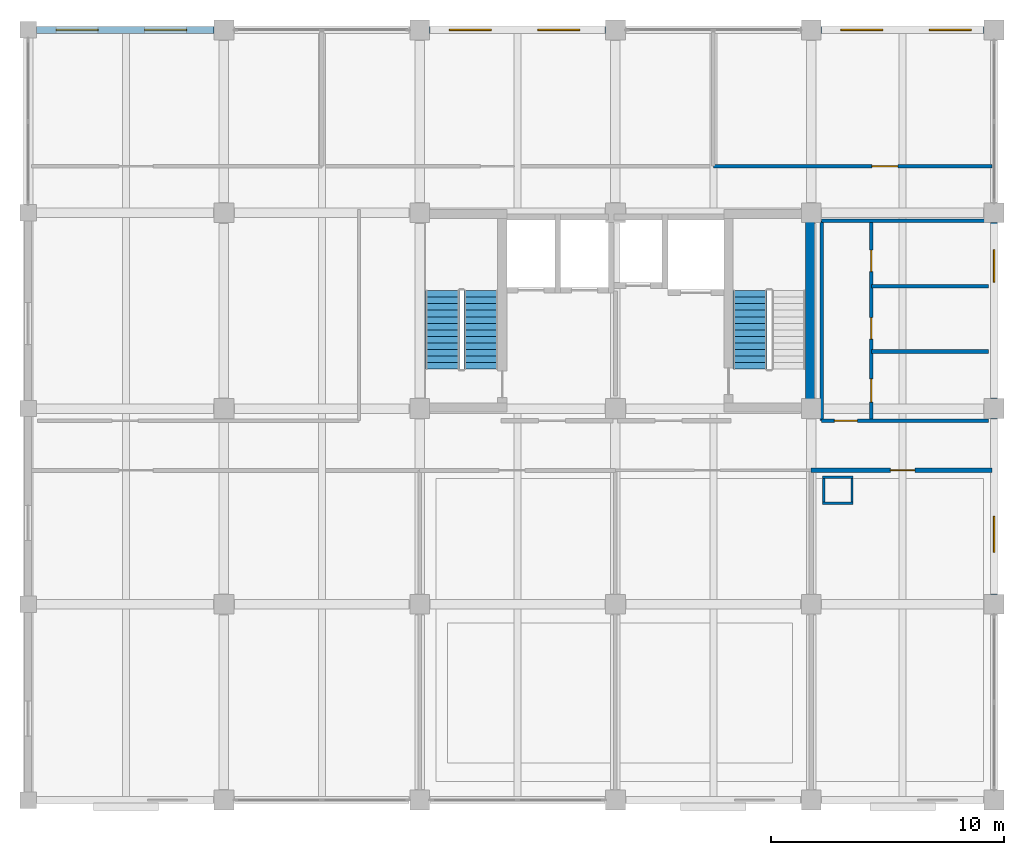
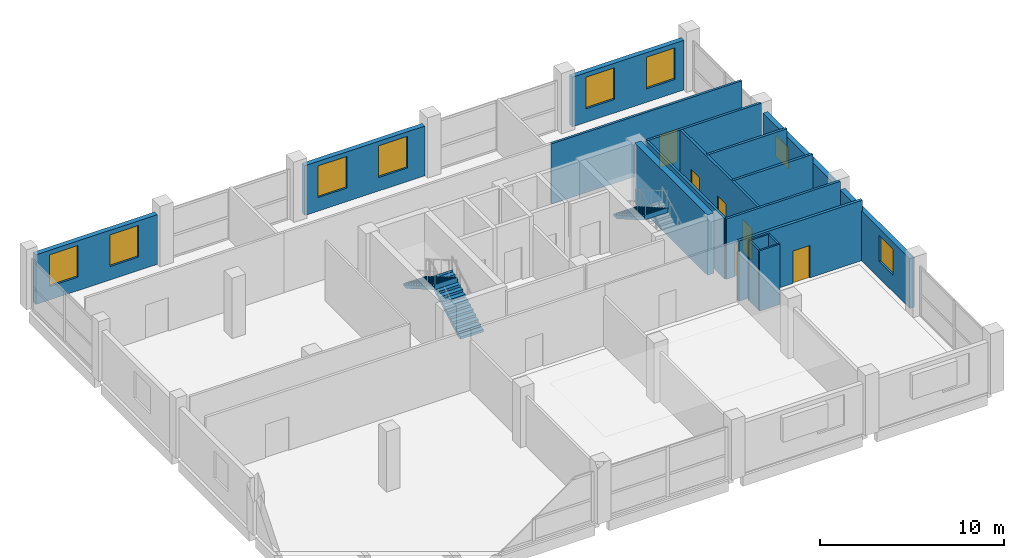
# One storey, part 8 of 11: 18 walls, 8 windows, 6 doors, 3 stair flights, 14 openings, 2 elements without a shape of their own.
"""IFC4 building model written with IfcOpenShell, lengths in metres."""

from ifc_helpers import new_model, si_unit, direction, frame, frame_2d, origin, place, context, subcontext, project, spatial, polyline, rectangle, outline, extrude, material, layer, layer_set, type_object, element, fill, aggregate, save


model = new_model("IFC4")

# Units and contexts
model_context = context("Model", 3, precision=1e-05, world=origin(), true_north=direction((0.0, 1.0)))
body_context = subcontext(model_context, "Body", "Model", "MODEL_VIEW")
ifc_project = project(units=[si_unit("LENGTHUNIT", "METRE"), si_unit("AREAUNIT", "SQUARE_METRE"), si_unit("VOLUMEUNIT", "CUBIC_METRE"), si_unit("PLANEANGLEUNIT", "RADIAN"), si_unit("MASSUNIT", "GRAM", prefix="KILO")], contexts=[model_context])

# Site, building, storey
site_placement = place(None, origin())
site = spatial("IfcSite", under=ifc_project, at=site_placement, CompositionType="ELEMENT")
building_placement = place(site_placement, origin())
building = spatial("IfcBuilding", under=site, at=building_placement, Name="Brinegate Botanical Conservatory", CompositionType="ELEMENT")
storey_placement = place(building_placement, frame((0.0, 0.0, 23.39990234375)))
storey = spatial("IfcBuildingStorey", under=building, at=storey_placement, Name="L06", CompositionType="ELEMENT", Elevation=23.39990234375)

# Wall, openings, windows
ifc_material_1 = material(Name="Insulated Minnan red clay brick masonry", Category="masonry")
ifc_layer_1 = layer(ifc_material_1, 0.300048828125, Name="Insulated Minnan red clay brick masonry", Category="masonry")
ifc_layer_set_1 = layer_set([ifc_layer_1], Name="Insulated Minnan red clay brick masonry")
wall_type_1 = type_object("IfcWallType", Name="Wall_EW-300B", PredefinedType="STANDARD", material=ifc_layer_set_1)
wall_1_placement = place(storey_placement, frame((122.35009765625, 111.449951171875, 0.0), z_axis=(0.0, 0.0, 1.0), x_axis=(1.0, 0.0, 0.0)))
wall_1 = element("IfcWall", 1, at=wall_1_placement, inside=storey, type_object=wall_type_1, Name="Research lab north brick wall L06.1", PredefinedType="STANDARD", context=body_context, shape_type="SweptSolid", body=[
    extrude(rectangle(XDim=7.625, YDim=0.300048828125, at=frame_2d((3.8125, 0.0))), origin(), (0.0, 0.0, 1.0), 3.300048828125),
])
opening_1_placement = place(wall_1_placement, frame((0.85009765625, 0.0, 0.89990234375)))
opening_1 = element("IfcOpeningElement", 2, at=opening_1_placement, cuts=wall_1, Name="Opening WN-01", PredefinedType="OPENING", context=body_context, shape_type="SweptSolid", body=[
    extrude(rectangle(XDim=1.800048828125, YDim=2.10009765625, at=frame_2d((0.89990234375, 1.050048828125))), frame((0.0, 0.159912109375, 0.0), z_axis=(0.0, -1.0, 0.0), x_axis=(1.0, 0.0, 0.0)), (0.0, 0.0, 1.0), 0.320068359375),
])
opening_2_placement = place(wall_1_placement, frame((4.64990234375, 0.0, 0.89990234375)))
opening_2 = element("IfcOpeningElement", 3, at=opening_2_placement, cuts=wall_1, Name="Opening WN-01", PredefinedType="OPENING", context=body_context, shape_type="SweptSolid", body=[
    extrude(rectangle(XDim=1.800048828125, YDim=2.10009765625, at=frame_2d((0.89990234375, 1.050048828125))), frame((0.0, 0.159912109375, 0.0), z_axis=(0.0, -1.0, 0.0), x_axis=(1.0, 0.0, 0.0)), (0.0, 0.0, 1.0), 0.320068359375),
])
ifc_material_2 = material(Name="Thermally broken aluminium-framed Low-E glass", Category="aluminium")
window_type_1 = type_object("IfcWindowType", Name="Win_WN-01", PartitioningType="DOUBLE_PANEL_VERTICAL", PredefinedType="WINDOW", material=ifc_material_2)
window_1_placement = place(opening_1_placement, origin())
window_1 = element("IfcWindow", 4, at=window_1_placement, inside=storey, type_object=window_type_1, Name="Research lab north window L06.1A", OverallHeight=2.10009765625, OverallWidth=1.800048828125, PartitioningType="DOUBLE_PANEL_VERTICAL", PredefinedType="WINDOW", context=body_context, shape_type="SweptSolid", body=[
    extrude(rectangle(XDim=1.800048828125, YDim=2.10009765625, at=frame_2d((0.89990234375, 1.050048828125))), frame((0.0, 0.030029296875, 0.0), z_axis=(0.0, -1.0, 0.0), x_axis=(1.0, 0.0, 0.0)), (0.0, 0.0, 1.0), 0.06005859375),
])
fill(opening_1, window_1)
window_2_placement = place(opening_2_placement, origin())
window_2 = element("IfcWindow", 5, at=window_2_placement, inside=storey, type_object=window_type_1, Name="Research lab north window L06.1B", OverallHeight=2.10009765625, OverallWidth=1.800048828125, PartitioningType="DOUBLE_PANEL_VERTICAL", PredefinedType="WINDOW", context=body_context, shape_type="SweptSolid", body=[
    extrude(rectangle(XDim=1.800048828125, YDim=2.10009765625, at=frame_2d((0.89990234375, 1.050048828125))), frame((0.0, 0.030029296875, 0.0), z_axis=(0.0, -1.0, 0.0), x_axis=(1.0, 0.0, 0.0)), (0.0, 0.0, 1.0), 0.06005859375),
])
fill(opening_2, window_2)

wall_2_placement = place(storey_placement, frame((139.22509765625, 111.449951171875, 0.0), z_axis=(0.0, 0.0, 1.0), x_axis=(1.0, 0.0, 0.0)))
wall_2 = element("IfcWall", 6, at=wall_2_placement, inside=storey, type_object=wall_type_1, Name="Research lab north brick wall L06.3", PredefinedType="STANDARD", context=body_context, shape_type="SweptSolid", body=[
    extrude(rectangle(XDim=7.5498046875, YDim=0.300048828125, at=frame_2d((3.77490234375, 0.0))), origin(), (0.0, 0.0, 1.0), 3.300048828125),
])
opening_3_placement = place(wall_2_placement, frame((0.85009765625, 0.0, 0.89990234375)))
opening_3 = element("IfcOpeningElement", 7, at=opening_3_placement, cuts=wall_2, Name="Opening WN-01", PredefinedType="OPENING", context=body_context, shape_type="SweptSolid", body=[
    extrude(rectangle(XDim=1.800048828125, YDim=2.10009765625, at=frame_2d((0.89990234375, 1.050048828125))), frame((0.0, 0.159912109375, 0.0), z_axis=(0.0, -1.0, 0.0), x_axis=(1.0, 0.0, 0.0)), (0.0, 0.0, 1.0), 0.320068359375),
])
opening_4_placement = place(wall_2_placement, frame((4.64990234375, 0.0, 0.89990234375)))
opening_4 = element("IfcOpeningElement", 8, at=opening_4_placement, cuts=wall_2, Name="Opening WN-01", PredefinedType="OPENING", context=body_context, shape_type="SweptSolid", body=[
    extrude(rectangle(XDim=1.800048828125, YDim=2.10009765625, at=frame_2d((0.89990234375, 1.050048828125))), frame((0.0, 0.159912109375, 0.0), z_axis=(0.0, -1.0, 0.0), x_axis=(1.0, 0.0, 0.0)), (0.0, 0.0, 1.0), 0.320068359375),
])
window_3_placement = place(opening_3_placement, origin())
window_3 = element("IfcWindow", 9, at=window_3_placement, inside=storey, type_object=window_type_1, Name="Research lab north window L06.3A", OverallHeight=2.10009765625, OverallWidth=1.800048828125, PartitioningType="DOUBLE_PANEL_VERTICAL", PredefinedType="WINDOW", context=body_context, shape_type="SweptSolid", body=[
    extrude(rectangle(XDim=1.800048828125, YDim=2.10009765625, at=frame_2d((0.89990234375, 1.050048828125))), frame((0.0, 0.030029296875, 0.0), z_axis=(0.0, -1.0, 0.0), x_axis=(1.0, 0.0, 0.0)), (0.0, 0.0, 1.0), 0.06005859375),
])
fill(opening_3, window_3)
window_4_placement = place(opening_4_placement, origin())
window_4 = element("IfcWindow", 10, at=window_4_placement, inside=storey, type_object=window_type_1, Name="Research lab north window L06.3B", OverallHeight=2.10009765625, OverallWidth=1.800048828125, PartitioningType="DOUBLE_PANEL_VERTICAL", PredefinedType="WINDOW", context=body_context, shape_type="SweptSolid", body=[
    extrude(rectangle(XDim=1.800048828125, YDim=2.10009765625, at=frame_2d((0.89990234375, 1.050048828125))), frame((0.0, 0.030029296875, 0.0), z_axis=(0.0, -1.0, 0.0), x_axis=(1.0, 0.0, 0.0)), (0.0, 0.0, 1.0), 0.06005859375),
])
fill(opening_4, window_4)

wall_3_placement = place(storey_placement, frame((156.02490234375, 111.449951171875, 0.0), z_axis=(0.0, 0.0, 1.0), x_axis=(1.0, 0.0, 0.0)))
wall_3 = element("IfcWall", 11, at=wall_3_placement, inside=storey, type_object=wall_type_1, Name="Research lab north brick wall L06.5", PredefinedType="STANDARD", context=body_context, shape_type="SweptSolid", body=[
    extrude(rectangle(XDim=7.0, YDim=0.300048828125, at=frame_2d((3.5, 0.0))), origin(), (0.0, 0.0, 1.0), 3.300048828125),
])
opening_5_placement = place(wall_3_placement, frame((0.85009765625, 0.0, 0.89990234375)))
opening_5 = element("IfcOpeningElement", 12, at=opening_5_placement, cuts=wall_3, Name="Opening WN-01", PredefinedType="OPENING", context=body_context, shape_type="SweptSolid", body=[
    extrude(rectangle(XDim=1.800048828125, YDim=2.10009765625, at=frame_2d((0.89990234375, 1.050048828125))), frame((0.0, 0.159912109375, 0.0), z_axis=(0.0, -1.0, 0.0), x_axis=(1.0, 0.0, 0.0)), (0.0, 0.0, 1.0), 0.320068359375),
])
opening_6_placement = place(wall_3_placement, frame((4.64990234375, 0.0, 0.89990234375)))
opening_6 = element("IfcOpeningElement", 13, at=opening_6_placement, cuts=wall_3, Name="Opening WN-01", PredefinedType="OPENING", context=body_context, shape_type="SweptSolid", body=[
    extrude(rectangle(XDim=1.800048828125, YDim=2.10009765625, at=frame_2d((0.89990234375, 1.050048828125))), frame((0.0, 0.159912109375, 0.0), z_axis=(0.0, -1.0, 0.0), x_axis=(1.0, 0.0, 0.0)), (0.0, 0.0, 1.0), 0.320068359375),
])
window_5_placement = place(opening_5_placement, origin())
window_5 = element("IfcWindow", 14, at=window_5_placement, inside=storey, type_object=window_type_1, Name="Research lab north window L06.5A", OverallHeight=2.10009765625, OverallWidth=1.800048828125, PartitioningType="DOUBLE_PANEL_VERTICAL", PredefinedType="WINDOW", context=body_context, shape_type="SweptSolid", body=[
    extrude(rectangle(XDim=1.800048828125, YDim=2.10009765625, at=frame_2d((0.89990234375, 1.050048828125))), frame((0.0, 0.030029296875, 0.0), z_axis=(0.0, -1.0, 0.0), x_axis=(1.0, 0.0, 0.0)), (0.0, 0.0, 1.0), 0.06005859375),
])
fill(opening_5, window_5)
window_6_placement = place(opening_6_placement, origin())
window_6 = element("IfcWindow", 15, at=window_6_placement, inside=storey, type_object=window_type_1, Name="Research lab north window L06.5B", OverallHeight=2.10009765625, OverallWidth=1.800048828125, PartitioningType="DOUBLE_PANEL_VERTICAL", PredefinedType="WINDOW", context=body_context, shape_type="SweptSolid", body=[
    extrude(rectangle(XDim=1.800048828125, YDim=2.10009765625, at=frame_2d((0.89990234375, 1.050048828125))), frame((0.0, 0.030029296875, 0.0), z_axis=(0.0, -1.0, 0.0), x_axis=(1.0, 0.0, 0.0)), (0.0, 0.0, 1.0), 0.06005859375),
])
fill(opening_6, window_6)

# Wall, opening, window
wall_4_placement = place(storey_placement, frame((163.449951171875, 94.77490234375, 0.0), z_axis=(0.0, 0.0, 1.0), x_axis=(0.0, -1.0, 0.0)))
wall_4 = element("IfcWall", 16, at=wall_4_placement, inside=storey, type_object=wall_type_1, Name="Tower east brick wall L06.2", PredefinedType="STANDARD", context=body_context, shape_type="SweptSolid", body=[
    extrude(rectangle(XDim=7.5498046875, YDim=0.300048828125, at=frame_2d((3.77490234375, 0.0))), origin(), (0.0, 0.0, 1.0), 3.300048828125),
])
opening_7_placement = place(wall_4_placement, frame((4.199951171875, 0.0, 1.10009765625)))
opening_7 = element("IfcOpeningElement", 17, at=opening_7_placement, cuts=wall_4, Name="Opening WN-37", PredefinedType="OPENING", context=body_context, shape_type="SweptSolid", body=[
    extrude(rectangle(XDim=1.550048828125, YDim=1.75, at=frame_2d((0.77490234375, 0.875))), frame((0.0, 0.159912109375, 0.0), z_axis=(0.0, -1.0, 0.0), x_axis=(1.0, 0.0, 0.0)), (0.0, 0.0, 1.0), 0.320068359375),
])
window_type_2 = type_object("IfcWindowType", Name="Win_WN-37", PartitioningType="DOUBLE_PANEL_VERTICAL", PredefinedType="WINDOW", material=ifc_material_2)
window_7_placement = place(opening_7_placement, origin())
window_7 = element("IfcWindow", 18, at=window_7_placement, inside=storey, type_object=window_type_2, Name="Tower east window L06.2", OverallHeight=1.75, OverallWidth=1.550048828125, PartitioningType="DOUBLE_PANEL_VERTICAL", PredefinedType="WINDOW", context=body_context, shape_type="SweptSolid", body=[
    extrude(rectangle(XDim=1.550048828125, YDim=1.75, at=frame_2d((0.77490234375, 0.875))), frame((0.0, 0.030029296875, 0.0), z_axis=(0.0, -1.0, 0.0), x_axis=(1.0, 0.0, 0.0)), (0.0, 0.0, 1.0), 0.06005859375),
])
fill(opening_7, window_7)

wall_5_placement = place(storey_placement, frame((163.449951171875, 103.175048828125, 0.0), z_axis=(0.0, 0.0, 1.0), x_axis=(0.0, -1.0, 0.0)))
wall_5 = element("IfcWall", 19, at=wall_5_placement, inside=storey, type_object=wall_type_1, Name="Tower east brick wall L06.3", PredefinedType="STANDARD", context=body_context, shape_type="SweptSolid", body=[
    extrude(rectangle(XDim=7.550048828125, YDim=0.300048828125, at=frame_2d((3.77490234375, 0.0))), origin(), (0.0, 0.0, 1.0), 3.300048828125),
])
opening_8_placement = place(wall_5_placement, frame((1.14990234375, 0.0, 1.10009765625)))
opening_8 = element("IfcOpeningElement", 20, at=opening_8_placement, cuts=wall_5, Name="Opening WN-16", PredefinedType="OPENING", context=body_context, shape_type="SweptSolid", body=[
    extrude(rectangle(XDim=1.39990234375, YDim=1.39990234375, at=frame_2d((0.699951171875, 0.699951171875))), frame((0.0, 0.159912109375, 0.0), z_axis=(0.0, -1.0, 0.0), x_axis=(1.0, 0.0, 0.0)), (0.0, 0.0, 1.0), 0.320068359375),
])
window_type_3 = type_object("IfcWindowType", Name="Win_WN-16", PartitioningType="SINGLE_PANEL", PredefinedType="WINDOW", material=ifc_material_2)
window_8_placement = place(opening_8_placement, origin())
window_8 = element("IfcWindow", 21, at=window_8_placement, inside=storey, type_object=window_type_3, Name="Tower east window L06.3", OverallHeight=1.39990234375, OverallWidth=1.39990234375, PartitioningType="SINGLE_PANEL", PredefinedType="WINDOW", context=body_context, shape_type="SweptSolid", body=[
    extrude(rectangle(XDim=1.39990234375, YDim=1.39990234375, at=frame_2d((0.699951171875, 0.699951171875))), frame((0.0, 0.030029296875, 0.0), z_axis=(0.0, -1.0, 0.0), x_axis=(1.0, 0.0, 0.0)), (0.0, 0.0, 1.0), 0.06005859375),
])
fill(opening_8, window_8)

# Walls
ifc_material_3 = material(Name="Gypsum-clad steel-stud fire-rated shaft partition", Category="steel")
ifc_layer_2 = layer(ifc_material_3, 0.10498046875, Name="Gypsum-clad steel-stud fire-rated shaft partition", Category="steel")
ifc_layer_set_2 = layer_set([ifc_layer_2], Name="Gypsum-clad steel-stud fire-rated shaft partition")
wall_type_2 = type_object("IfcWallType", Name="Wall_PW-105", PredefinedType="PARTITIONING", material=ifc_layer_set_2)
for number, where, z_axis, x_axis, name in (
    (22, (156.094970703125, 91.1474609375, 0.0), (0.0, 0.0, 1.0), (1.0, 0.0, 0.0), "Service riser shaft wall L06 S"),
    (23, (156.094970703125, 92.25244140625, 0.0), (0.0, 0.0, 1.0), (1.0, 0.0, 0.0), "Service riser shaft wall L06 N"),
):
    element("IfcWall", number, at=place(storey_placement, frame(where, z_axis=z_axis, x_axis=x_axis)), inside=storey, type_object=wall_type_2, Name=name, PredefinedType="PARTITIONING", context=body_context, shape_type="SweptSolid", body=[
        extrude(rectangle(XDim=1.31005859375, YDim=0.10498046875, at=frame_2d((0.655029296875, 0.0))), origin(), (0.0, 0.0, 1.0), 4.0),
    ])
for number, where, z_axis, x_axis, name in (
    (24, (156.1474609375, 91.199951171875, 0.0), (0.0, 0.0, 1.0), (0.0, 1.0, 0.0), "Service riser shaft wall L06 W"),
    (25, (157.3525390625, 91.199951171875, 0.0), (0.0, 0.0, 1.0), (0.0, 1.0, 0.0), "Service riser shaft wall L06 E"),
):
    element("IfcWall", number, at=place(storey_placement, frame(where, z_axis=z_axis, x_axis=x_axis)), inside=storey, type_object=wall_type_2, Name=name, PredefinedType="PARTITIONING", context=body_context, shape_type="SweptSolid", body=[
        extrude(rectangle(XDim=1.0, YDim=0.10498046875, at=frame_2d((0.5, 0.0))), origin(), (0.0, 0.0, 1.0), 4.0),
    ])

# Wall, opening, door
ifc_material_4 = material(Name="Gypsum-clad acoustic steel-stud partition", Category="steel")
ifc_layer_3 = layer(ifc_material_4, 0.14501953125, Name="Gypsum-clad acoustic steel-stud partition", Category="steel")
ifc_layer_set_3 = layer_set([ifc_layer_3], Name="Gypsum-clad acoustic steel-stud partition")
wall_type_3 = type_object("IfcWallType", Name="Wall_PW-150", PredefinedType="PARTITIONING", material=ifc_layer_set_3)
wall_6_placement = place(storey_placement, frame((151.39990234375, 105.60009765625, 0.0), z_axis=(0.0, 0.0, 1.0), x_axis=(1.0, 0.0, 0.0)))
wall_6 = element("IfcWall", 26, at=wall_6_placement, inside=storey, type_object=wall_type_3, Name="Interior partition P-L06-NB-N3", PredefinedType="PARTITIONING", context=body_context, shape_type="SweptSolid", body=[
    extrude(rectangle(XDim=11.9501953125, YDim=0.14501953125, at=frame_2d((5.97509765625, 0.0))), origin(), (0.0, 0.0, 1.0), 4.0),
])
opening_9_placement = place(wall_6_placement, frame((6.800048828125, 0.0, 0.0)))
opening_9 = element("IfcOpeningElement", 27, at=opening_9_placement, cuts=wall_6, Name="Opening DR-05", PredefinedType="OPENING", context=body_context, shape_type="SweptSolid", body=[
    extrude(rectangle(XDim=1.1201171875, YDim=2.179931640625, at=frame_2d((0.56005859375, 1.08984375))), frame((0.0, 0.08251953125, 0.0), z_axis=(0.0, -1.0, 0.0), x_axis=(1.0, 0.0, 0.0)), (0.0, 0.0, 1.0), 0.1650390625),
])
ifc_material_5 = material(Name="Phenolic-faced laboratory timber leaf", Category="wood")
door_type_1 = type_object("IfcDoorType", Name="Door_DR-05", OperationType="NOTDEFINED", PredefinedType="DOOR", material=ifc_material_5)
door_1_placement = place(opening_9_placement, origin())
door_1 = element("IfcDoor", 28, at=door_1_placement, inside=storey, type_object=door_type_1, Name="DR-P-L06-NB-N3-1", OperationType="SINGLE_SWING_LEFT", OverallHeight=2.179931640625, OverallWidth=1.1201171875, PredefinedType="DOOR", context=body_context, shape_type="SweptSolid", body=[
    extrude(rectangle(XDim=1.1201171875, YDim=2.179931640625, at=frame_2d((0.56005859375, 1.08984375))), frame((0.0, 0.02490234375, 0.0), z_axis=(0.0, -1.0, 0.0), x_axis=(1.0, 0.0, 0.0)), (0.0, 0.0, 1.0), 0.050048828125),
])
fill(opening_9, door_1)

ifc_material_6 = material(Name="Moisture-resistant cement-board partition", Category="gypsum")
ifc_layer_4 = layer(ifc_material_6, 0.14990234375, Name="Moisture-resistant cement-board partition", Category="gypsum")
ifc_layer_set_4 = layer_set([ifc_layer_4], Name="Moisture-resistant cement-board partition")
wall_type_4 = type_object("IfcWallType", Name="Wall_PW-150W", PredefinedType="PARTITIONING", material=ifc_layer_set_4)
wall_7_placement = place(storey_placement, frame((156.050048828125, 94.679931640625, 0.0), z_axis=(0.0, 0.0, 1.0), x_axis=(1.0, 0.0, 0.0)))
wall_7 = element("IfcWall", 29, at=wall_7_placement, inside=storey, type_object=wall_type_4, Name="Interior partition P-L06-WCS", PredefinedType="PARTITIONING", context=body_context, shape_type="SweptSolid", body=[
    extrude(rectangle(XDim=7.14990234375, YDim=0.14990234375, at=frame_2d((3.574951171875, 0.0))), origin(), (0.0, 0.0, 1.0), 4.0),
])
opening_10_placement = place(wall_7_placement, frame((0.550048828125, 0.0, 0.0)))
opening_10 = element("IfcOpeningElement", 30, at=opening_10_placement, cuts=wall_7, Name="Opening DR-03", PredefinedType="OPENING", context=body_context, shape_type="SweptSolid", body=[
    extrude(rectangle(XDim=0.97998046875, YDim=2.1201171875, at=frame_2d((0.489990234375, 1.06005859375))), frame((0.0, 0.0849609375, 0.0), z_axis=(0.0, -1.0, 0.0), x_axis=(1.0, 0.0, 0.0)), (0.0, 0.0, 1.0), 0.169921875),
])
ifc_material_7 = material(Name="Steel-core hardwood smoke-sealed fire door", Category="steel")
door_type_2 = type_object("IfcDoorType", Name="Door_DR-03", OperationType="NOTDEFINED", PredefinedType="DOOR", material=ifc_material_7)
door_2_placement = place(opening_10_placement, origin())
door_2 = element("IfcDoor", 31, at=door_2_placement, inside=storey, type_object=door_type_2, Name="DR-P-L06-WCS-1", OperationType="SINGLE_SWING_LEFT", OverallHeight=2.1201171875, OverallWidth=0.97998046875, PredefinedType="DOOR", context=body_context, shape_type="SweptSolid", body=[
    extrude(rectangle(XDim=0.97998046875, YDim=2.1201171875, at=frame_2d((0.489990234375, 1.06005859375))), frame((0.0, 0.02490234375, 0.0), z_axis=(0.0, -1.0, 0.0), x_axis=(1.0, 0.0, 0.0)), (0.0, 0.0, 1.0), 0.050048828125),
])
fill(opening_10, door_2)

# Wall, openings, doors
wall_8_placement = place(storey_placement, frame((158.179931640625, 94.679931640625, 0.0), z_axis=(0.0, 0.0, 1.0), x_axis=(0.0, 1.0, 0.0)))
wall_8 = element("IfcWall", 32, at=wall_8_placement, inside=storey, type_object=wall_type_4, Name="Interior partition P-L06-WCW", PredefinedType="PARTITIONING", context=body_context, shape_type="SweptSolid", body=[
    extrude(rectangle(XDim=8.570068359375, YDim=0.14990234375, at=frame_2d((4.28515625, 0.0))), origin(), (0.0, 0.0, 1.0), 4.0),
])
opening_11_placement = place(wall_8_placement, frame((0.800048828125, 0.0, 0.0)))
opening_11 = element("IfcOpeningElement", 33, at=opening_11_placement, cuts=wall_8, Name="Opening DR-ACC", PredefinedType="OPENING", context=body_context, shape_type="SweptSolid", body=[
    extrude(rectangle(XDim=1.0, YDim=2.1201171875, at=frame_2d((0.5, 1.06005859375))), frame((0.0, 0.0849609375, 0.0), z_axis=(0.0, -1.0, 0.0), x_axis=(1.0, 0.0, 0.0)), (0.0, 0.0, 1.0), 0.169921875),
])
opening_12_placement = place(wall_8_placement, frame((3.5, 0.0, 0.0)))
opening_12 = element("IfcOpeningElement", 34, at=opening_12_placement, cuts=wall_8, Name="Opening DR-04", PredefinedType="OPENING", context=body_context, shape_type="SweptSolid", body=[
    extrude(rectangle(XDim=0.919921875, YDim=2.10009765625, at=frame_2d((0.4599609375, 1.050048828125))), frame((0.0, 0.0849609375, 0.0), z_axis=(0.0, -1.0, 0.0), x_axis=(1.0, 0.0, 0.0)), (0.0, 0.0, 1.0), 0.169921875),
])
opening_13_placement = place(wall_8_placement, frame((6.39990234375, 0.0, 0.0)))
opening_13 = element("IfcOpeningElement", 35, at=opening_13_placement, cuts=wall_8, Name="Opening DR-04", PredefinedType="OPENING", context=body_context, shape_type="SweptSolid", body=[
    extrude(rectangle(XDim=0.919921875, YDim=2.10009765625, at=frame_2d((0.4599609375, 1.050048828125))), frame((0.0, 0.0849609375, 0.0), z_axis=(0.0, -1.0, 0.0), x_axis=(1.0, 0.0, 0.0)), (0.0, 0.0, 1.0), 0.169921875),
])
ifc_material_8 = material(Name="Moisture-resistant laminate timber leaf", Category="wood")
door_type_3 = type_object("IfcDoorType", Name="Door_DR-04", OperationType="NOTDEFINED", PredefinedType="DOOR", material=ifc_material_8)
door_3_placement = place(opening_12_placement, origin())
door_3 = element("IfcDoor", 36, at=door_3_placement, inside=storey, type_object=door_type_3, Name="DR-P-L06-WCW-2", OperationType="SINGLE_SWING_RIGHT", OverallHeight=2.10009765625, OverallWidth=0.919921875, PredefinedType="DOOR", context=body_context, shape_type="SweptSolid", body=[
    extrude(rectangle(XDim=0.919921875, YDim=2.10009765625, at=frame_2d((0.4599609375, 1.050048828125))), frame((0.0, 0.02490234375, 0.0), z_axis=(0.0, -1.0, 0.0), x_axis=(1.0, 0.0, 0.0)), (0.0, 0.0, 1.0), 0.050048828125),
])
fill(opening_12, door_3)
door_4_placement = place(opening_13_placement, origin())
door_4 = element("IfcDoor", 37, at=door_4_placement, inside=storey, type_object=door_type_3, Name="DR-P-L06-WCW-3", OperationType="SINGLE_SWING_LEFT", OverallHeight=2.10009765625, OverallWidth=0.919921875, PredefinedType="DOOR", context=body_context, shape_type="SweptSolid", body=[
    extrude(rectangle(XDim=0.919921875, YDim=2.10009765625, at=frame_2d((0.4599609375, 1.050048828125))), frame((0.0, 0.02490234375, 0.0), z_axis=(0.0, -1.0, 0.0), x_axis=(1.0, 0.0, 0.0)), (0.0, 0.0, 1.0), 0.050048828125),
])
fill(opening_13, door_4)
ifc_material_9 = material(Name="Moisture-resistant barrier-free timber leaf", Category="wood")
door_type_4 = type_object("IfcDoorType", Name="Door_DR-ACC", OperationType="NOTDEFINED", PredefinedType="DOOR", material=ifc_material_9)
door_5_placement = place(opening_11_placement, origin())
door_5 = element("IfcDoor", 38, at=door_5_placement, inside=storey, type_object=door_type_4, Name="DR-P-L06-WCW-1", OperationType="SINGLE_SWING_LEFT", OverallHeight=2.1201171875, OverallWidth=1.0, PredefinedType="DOOR", context=body_context, shape_type="SweptSolid", body=[
    extrude(rectangle(XDim=1.0, YDim=2.1201171875, at=frame_2d((0.5, 1.06005859375))), frame((0.0, 0.02490234375, 0.0), z_axis=(0.0, -1.0, 0.0), x_axis=(1.0, 0.0, 0.0)), (0.0, 0.0, 1.0), 0.050048828125),
])
fill(opening_11, door_5)

# Walls
wall_9_placement = place(storey_placement, frame((156.050048828125, 103.25, 0.0), z_axis=(0.0, 0.0, 1.0), x_axis=(1.0, 0.0, 0.0)))
element("IfcWall", 39, at=wall_9_placement, inside=storey, type_object=wall_type_4, Name="Interior partition P-L06-WCN", PredefinedType="PARTITIONING", context=body_context, shape_type="SweptSolid", body=[
    extrude(rectangle(XDim=7.14990234375, YDim=0.14990234375, at=frame_2d((3.574951171875, 0.0))), origin(), (0.0, 0.0, 1.0), 4.0),
])
wall_10_placement = place(storey_placement, frame((156.050048828125, 94.679931640625, 0.0), z_axis=(0.0, 0.0, 1.0), x_axis=(0.0, 1.0, 0.0)))
element("IfcWall", 40, at=wall_10_placement, inside=storey, type_object=wall_type_4, Name="Interior partition P-L06-WCWW", PredefinedType="PARTITIONING", context=body_context, shape_type="SweptSolid", body=[
    extrude(rectangle(XDim=8.570068359375, YDim=0.14990234375, at=frame_2d((4.28515625, 0.0))), origin(), (0.0, 0.0, 1.0), 4.0),
])
ifc_material_10 = material(Name="Moisture-resistant laboratory partition", Category="gypsum")
ifc_layer_5 = layer(ifc_material_10, 0.157958984375, Name="Moisture-resistant laboratory partition", Category="gypsum")
ifc_layer_set_5 = layer_set([ifc_layer_5], Name="Moisture-resistant laboratory partition")
wall_type_5 = type_object("IfcWallType", Name="Wall_PW-158", PredefinedType="PARTITIONING", material=ifc_layer_set_5)
for number, where, z_axis, x_axis, name in (
    (41, (158.179931640625, 97.64990234375, 0.0), (0.0, 0.0, 1.0), (1.0, 0.0, 0.0), "Interior partition P-L06-WCD-9765"),
    (42, (158.179931640625, 100.449951171875, 0.0), (0.0, 0.0, 1.0), (1.0, 0.0, 0.0), "Interior partition P-L06-WCD-10045"),
):
    element("IfcWall", number, at=place(storey_placement, frame(where, z_axis=z_axis, x_axis=x_axis)), inside=storey, type_object=wall_type_5, Name=name, PredefinedType="PARTITIONING", context=body_context, shape_type="SweptSolid", body=[
        extrude(rectangle(XDim=5.02001953125, YDim=0.157958984375, at=frame_2d((2.510009765625, 0.0))), origin(), (0.0, 0.0, 1.0), 4.0),
    ])

# Wall, opening, door
ifc_material_11 = material(Name="Autoclaved aerated concrete C40/50 blockwork", Category="masonry")
ifc_layer_6 = layer(ifc_material_11, 0.179931640625, Name="Autoclaved aerated concrete C40/50 blockwork", Category="masonry")
ifc_layer_set_6 = layer_set([ifc_layer_6], Name="Autoclaved aerated concrete C40/50 blockwork")
wall_type_6 = type_object("IfcWallType", Name="Wall_PW-180F", PredefinedType="STANDARD", material=ifc_layer_set_6)
wall_11_placement = place(storey_placement, frame((155.60009765625, 92.550048828125, 0.0), z_axis=(0.0, 0.0, 1.0), x_axis=(1.0, 0.0, 0.0)))
wall_11 = element("IfcWall", 43, at=wall_11_placement, inside=storey, type_object=wall_type_6, Name="Interior partition P-L06-SB-S4", PredefinedType="STANDARD", context=body_context, shape_type="SweptSolid", body=[
    extrude(rectangle(XDim=7.75, YDim=0.179931640625, at=frame_2d((3.875, 0.0))), origin(), (0.0, 0.0, 1.0), 4.0),
])
opening_14_placement = place(wall_11_placement, frame((3.39990234375, 0.0, 0.0)))
opening_14 = element("IfcOpeningElement", 44, at=opening_14_placement, cuts=wall_11, Name="Opening FD-B2", PredefinedType="OPENING", context=body_context, shape_type="SweptSolid", body=[
    extrude(rectangle(XDim=1.050048828125, YDim=2.14990234375, at=frame_2d((0.52490234375, 1.074951171875))), frame((0.0, 0.099853515625, 0.0), z_axis=(0.0, -1.0, 0.0), x_axis=(1.0, 0.0, 0.0)), (0.0, 0.0, 1.0), 0.199951171875),
])
ifc_material_12 = material(Name="Steel fire door assembly", Category="steel")
door_type_5 = type_object("IfcDoorType", Name="Door_FD-B2", OperationType="NOTDEFINED", PredefinedType="DOOR", material=ifc_material_12)
door_6_placement = place(opening_14_placement, origin())
door_6 = element("IfcDoor", 45, at=door_6_placement, inside=storey, type_object=door_type_5, Name="DR-P-L06-SB-S4-1", OperationType="SINGLE_SWING_LEFT", OverallHeight=2.14990234375, OverallWidth=1.050048828125, PredefinedType="DOOR", context=body_context, shape_type="SweptSolid", body=[
    extrude(rectangle(XDim=1.050048828125, YDim=2.14990234375, at=frame_2d((0.52490234375, 1.074951171875))), frame((0.0, 0.02490234375, 0.0), z_axis=(0.0, -1.0, 0.0), x_axis=(1.0, 0.0, 0.0)), (0.0, 0.0, 1.0), 0.050048828125),
])
fill(opening_14, door_6)

# Wall
ifc_material_13 = material(Name="Concrete C50/60", Category="concrete")
ifc_layer_7 = layer(ifc_material_13, 0.39990234375, Name="Concrete C50/60", Category="concrete")
ifc_layer_set_7 = layer_set([ifc_layer_7], Name="Concrete C50/60")
wall_type_7 = type_object("IfcWallType", Name="Wall_SW-400", PredefinedType="SHEAR", material=ifc_layer_set_7)
wall_12_placement = place(storey_placement, frame((155.550048828125, 95.449951171875, 0.0), z_axis=(0.0, 0.0, 1.0), x_axis=(0.0, 1.0, 0.0)))
element("IfcWall", 46, at=wall_12_placement, inside=storey, type_object=wall_type_7, Name="Stairwell ST2 shear wall L06 E", PredefinedType="SHEAR", context=body_context, shape_type="SweptSolid", body=[
    extrude(rectangle(XDim=7.900146484375, YDim=0.39990234375, at=frame_2d((3.9501953125, 0.0))), origin(), (0.0, 0.0, 1.0), 4.0),
])

# Stair, stair flights
ifc_material_14 = material(Name="Concrete C40/50", Category="concrete")
stair_type = type_object("IfcStairType", Name="Stair_HT-4200", PredefinedType="HALF_TURN_STAIR", material=ifc_material_14)
stair_1_placement = place(storey_placement, origin())
stair_1 = element("IfcStair", 47, at=stair_1_placement, inside=storey, type_object=stair_type, Name="L06 Tower West Smoke-Proof Stair ST1", PredefinedType="HALF_TURN_STAIR")
stair_flight_type = type_object("IfcStairFlightType", Name="Flight_SF-4200", PredefinedType="STRAIGHT", material=ifc_material_14)
stair_flight_1_placement = place(storey_placement, frame((141.425048828125, 96.89990234375, 0.0), z_axis=(0.0, 0.0, 1.0), x_axis=(0.0, 1.0, 0.0)))
stair_flight_1 = element("IfcStairFlight", 48, at=stair_flight_1_placement, type_object=stair_flight_type, Name="ST1 flight 1", NumberOfRisers=13, NumberOfTreads=12, PredefinedType="STRAIGHT", RiserHeight=0.161538462, TreadLength=0.28, context=body_context, shape_type="SweptSolid", body=[
    extrude(outline(polyline([(-0.00048828125, 0.0), (-0.00048828125, 0.16162109375), (0.280029296875, 0.16162109375), (0.280029296875, 0.322998046875), (0.56005859375, 0.322998046875), (0.56005859375, 0.484619140625), (0.840087890625, 0.484619140625), (0.840087890625, 0.646240234375), (1.1201171875, 0.646240234375), (1.1201171875, 0.8076171875), (1.39990234375, 0.8076171875), (1.39990234375, 0.96923828125), (1.679931640625, 0.96923828125), (1.679931640625, 1.130859375), (1.9599609375, 1.130859375), (1.9599609375, 1.292236328125), (2.239990234375, 1.292236328125), (2.239990234375, 1.453857421875), (2.52001953125, 1.453857421875), (2.52001953125, 1.615478515625), (2.800048828125, 1.615478515625), (2.800048828125, 1.77685546875), (3.080078125, 1.77685546875), (3.080078125, 1.9384765625), (3.360107421875, 1.9384765625), (3.360107421875, 2.10009765625), (3.360595703125, 2.10009765625), (3.360595703125, 1.765380859375), (0.300048828125, 0.0), (-0.00048828125, 0.0)])), frame((0.0, 0.72509765625, 0.0), z_axis=(0.0, -1.0, 0.0), x_axis=(1.0, 0.0, 0.0)), (0.0, 0.0, 1.0), 1.449951171875),
])
stair_flight_2_placement = place(storey_placement, frame((139.77490234375, 100.260009765625, 2.10009765625), z_axis=(0.0, 0.0, 1.0), x_axis=(0.0, -1.0, 0.0)))
stair_flight_2 = element("IfcStairFlight", 49, at=stair_flight_2_placement, type_object=stair_flight_type, Name="ST1 flight 2", NumberOfRisers=13, NumberOfTreads=12, PredefinedType="STRAIGHT", RiserHeight=0.161538462, TreadLength=0.28, context=body_context, shape_type="SweptSolid", body=[
    extrude(outline(polyline([(-0.00048828125, 0.0), (-0.00048828125, 0.16162109375), (0.280029296875, 0.16162109375), (0.280029296875, 0.322998046875), (0.56005859375, 0.322998046875), (0.56005859375, 0.484619140625), (0.840087890625, 0.484619140625), (0.840087890625, 0.646240234375), (1.1201171875, 0.646240234375), (1.1201171875, 0.8076171875), (1.39990234375, 0.8076171875), (1.39990234375, 0.96923828125), (1.679931640625, 0.96923828125), (1.679931640625, 1.130859375), (1.9599609375, 1.130859375), (1.9599609375, 1.292236328125), (2.239990234375, 1.292236328125), (2.239990234375, 1.453857421875), (2.52001953125, 1.453857421875), (2.52001953125, 1.615478515625), (2.800048828125, 1.615478515625), (2.800048828125, 1.77685546875), (3.080078125, 1.77685546875), (3.080078125, 1.9384765625), (3.360107421875, 1.9384765625), (3.360107421875, 2.10009765625), (3.360595703125, 2.10009765625), (3.360595703125, 1.765380859375), (0.300048828125, 0.0), (-0.00048828125, 0.0)])), frame((0.0, 0.72509765625, 0.0), z_axis=(0.0, -1.0, 0.0), x_axis=(1.0, 0.0, 0.0)), (0.0, 0.0, 1.0), 1.449951171875),
])
aggregate(stair_1, [stair_flight_1, stair_flight_2])

# Stair, stair flight
stair_2_placement = place(storey_placement, origin())
stair_2 = element("IfcStair", 50, at=stair_2_placement, inside=storey, type_object=stair_type, Name="L06 Tower East Smoke-Proof Stair ST2", PredefinedType="HALF_TURN_STAIR")
stair_flight_3_placement = place(storey_placement, frame((152.97509765625, 100.260009765625, 2.10009765625), z_axis=(0.0, 0.0, 1.0), x_axis=(0.0, -1.0, 0.0)))
stair_flight_3 = element("IfcStairFlight", 51, at=stair_flight_3_placement, type_object=stair_flight_type, Name="ST2 flight 2", NumberOfRisers=13, NumberOfTreads=12, PredefinedType="STRAIGHT", RiserHeight=0.161538462, TreadLength=0.28, context=body_context, shape_type="SweptSolid", body=[
    extrude(outline(polyline([(-0.00048828125, 0.0), (-0.00048828125, 0.16162109375), (0.280029296875, 0.16162109375), (0.280029296875, 0.322998046875), (0.56005859375, 0.322998046875), (0.56005859375, 0.484619140625), (0.840087890625, 0.484619140625), (0.840087890625, 0.646240234375), (1.1201171875, 0.646240234375), (1.1201171875, 0.8076171875), (1.39990234375, 0.8076171875), (1.39990234375, 0.96923828125), (1.679931640625, 0.96923828125), (1.679931640625, 1.130859375), (1.9599609375, 1.130859375), (1.9599609375, 1.292236328125), (2.239990234375, 1.292236328125), (2.239990234375, 1.453857421875), (2.52001953125, 1.453857421875), (2.52001953125, 1.615478515625), (2.800048828125, 1.615478515625), (2.800048828125, 1.77685546875), (3.080078125, 1.77685546875), (3.080078125, 1.9384765625), (3.360107421875, 1.9384765625), (3.360107421875, 2.10009765625), (3.360595703125, 2.10009765625), (3.360595703125, 1.765380859375), (0.300048828125, 0.0), (-0.00048828125, 0.0)])), frame((0.0, 0.72509765625, 0.0), z_axis=(0.0, -1.0, 0.0), x_axis=(1.0, 0.0, 0.0)), (0.0, 0.0, 1.0), 1.449951171875),
])
aggregate(stair_2, [stair_flight_3])

save(model, "model.ifc")
